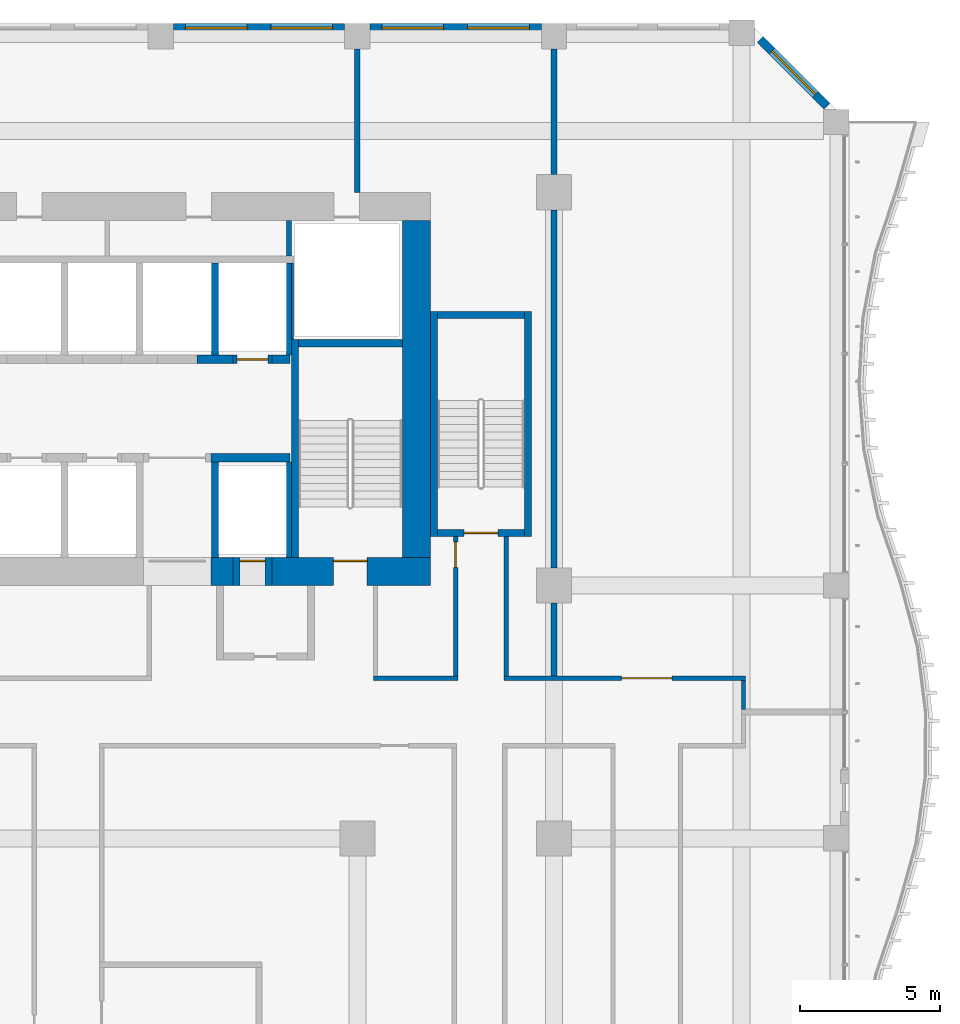
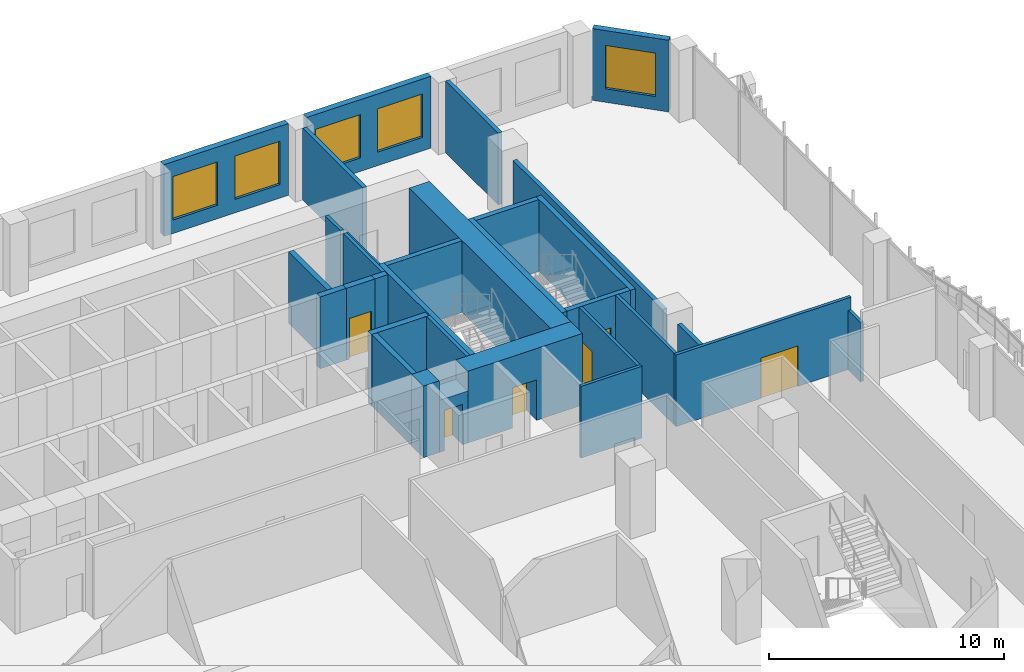
# One storey, part 18 of 29: 32 walls, 6 doors, 5 windows, 11 openings.
"""IFC4 building model written with IfcOpenShell, lengths in metres."""

from ifc_helpers import new_model, si_unit, direction, frame, frame_2d, origin, place, context, subcontext, project, spatial, rectangle, extrude, source, transform, mapped, material, layer, layer_set, type_object, element, fill, save


model = new_model("IFC4")

# Units and contexts
model_context = context("Model", 3, precision=1e-05, world=origin(), true_north=direction((0.0, 1.0)))
body_context = subcontext(model_context, "Body", "Model", "MODEL_VIEW")
ifc_project = project(units=[si_unit("LENGTHUNIT", "METRE"), si_unit("AREAUNIT", "SQUARE_METRE"), si_unit("VOLUMEUNIT", "CUBIC_METRE"), si_unit("PLANEANGLEUNIT", "RADIAN"), si_unit("MASSUNIT", "GRAM", prefix="KILO")], contexts=[model_context])

# Site, building, storey
site_placement = place(None, origin())
site = spatial("IfcSite", under=ifc_project, at=site_placement, CompositionType="ELEMENT")
building_placement = place(site_placement, origin())
building = spatial("IfcBuilding", under=site, at=building_placement, Name="Kilnfold Tower and Market Hall", CompositionType="ELEMENT")
storey_placement = place(building_placement, frame((0.0, 0.0, 79.199951171875)))
storey = spatial("IfcBuildingStorey", under=building, at=storey_placement, Name="L18", CompositionType="ELEMENT", Elevation=79.199951171875)

# Wall
ifc_material_1 = material(Name="Gypsum board on steel studs", Category="steel")
ifc_layer_1 = layer(ifc_material_1, 0.14990234375)
ifc_layer_set_1 = layer_set([ifc_layer_1], Name="Gypsum board on steel studs")
wall_type_1 = type_object("IfcWallType", Name="WALL CORRIDOR 150", PredefinedType="PARTITIONING", material=ifc_layer_set_1)
wall_1_placement = place(storey_placement, frame((16.074951171875, 4.699951171875, 0.0), z_axis=(0.0, 0.0, 1.0), x_axis=(1.0, 0.0, 0.0)))
element("IfcWall", 1, at=wall_1_placement, inside=storey, type_object=wall_type_1, Name="Partition LY13.26", PredefinedType="PARTITIONING", context=body_context, shape_type="SweptSolid", body=[
    extrude(rectangle(XDim=3.0, YDim=0.14990234375, at=frame_2d((1.5, 0.0))), origin(), (0.0, 0.0, 1.0), 3.719970703125),
])

# Wall, opening, door
wall_2_placement = place(storey_placement, frame((19.0, 9.75, 0.0), z_axis=(0.0, 0.0, 1.0), x_axis=(0.0, -1.0, 0.0)))
wall_2 = element("IfcWall", 2, at=wall_2_placement, inside=storey, type_object=wall_type_1, Name="Partition LY13.27", PredefinedType="PARTITIONING", context=body_context, shape_type="SweptSolid", body=[
    extrude(rectangle(XDim=4.97509765625, YDim=0.14990234375, at=frame_2d((2.487548828125, 0.0))), origin(), (0.0, 0.0, 1.0), 3.719970703125),
])
opening_1_placement = place(wall_2_placement, frame((0.199951171875, 0.0, 0.0)))
opening_1 = element("IfcOpeningElement", 3, at=opening_1_placement, cuts=wall_2, Name="Opening D2", PredefinedType="OPENING", context=body_context, shape_type="SweptSolid", body=[
    extrude(rectangle(XDim=0.89990234375, YDim=2.10009765625, at=frame_2d((0.449951171875, 1.050048828125))), frame((0.0, 0.0849609375, 0.0), z_axis=(0.0, -1.0, 0.0), x_axis=(1.0, 0.0, 0.0)), (0.0, 0.0, 1.0), 0.169921875),
])
ifc_material_2 = material(Name="Timber veneer door leaf in steel frame", Category="steel")
door_type_1 = type_object("IfcDoorType", Name="DOOR ROOM 900 X2100", OperationType="NOTDEFINED", PredefinedType="DOOR", material=ifc_material_2)
door_1_placement = place(opening_1_placement, origin())
door_1 = element("IfcDoor", 4, at=door_1_placement, inside=storey, type_object=door_type_1, Name="Door D2", OperationType="SINGLE_SWING_LEFT", OverallHeight=2.10009765625, OverallWidth=0.89990234375, PredefinedType="DOOR", context=body_context, shape_type="SweptSolid", body=[
    extrude(rectangle(XDim=0.89990234375, YDim=2.10009765625, at=frame_2d((0.449951171875, 1.050048828125))), frame((0.0, 0.02490234375, 0.0), z_axis=(0.0, -1.0, 0.0), x_axis=(1.0, 0.0, 0.0)), (0.0, 0.0, 1.0), 0.050048828125),
])
fill(opening_1, door_1)

# Wall
wall_3_placement = place(storey_placement, frame((20.800048828125, 4.77490234375, 0.0), z_axis=(0.0, 0.0, 1.0), x_axis=(0.0, 1.0, 0.0)))
element("IfcWall", 5, at=wall_3_placement, inside=storey, type_object=wall_type_1, Name="Partition LY13.28", PredefinedType="PARTITIONING", context=body_context, shape_type="SweptSolid", body=[
    extrude(rectangle(XDim=4.97509765625, YDim=0.14990234375, at=frame_2d((2.487548828125, 0.0))), origin(), (0.0, 0.0, 1.0), 3.719970703125),
])

# Wall, opening, door
wall_4_placement = place(storey_placement, frame((20.72509765625, 4.699951171875, 0.0), z_axis=(0.0, 0.0, 1.0), x_axis=(1.0, 0.0, 0.0)))
wall_4 = element("IfcWall", 6, at=wall_4_placement, inside=storey, type_object=wall_type_1, Name="Partition LY13.29", PredefinedType="PARTITIONING", context=body_context, shape_type="SweptSolid", body=[
    extrude(rectangle(XDim=8.599853515625, YDim=0.14990234375, at=frame_2d((4.2998046875, 0.0))), origin(), (0.0, 0.0, 1.0), 3.719970703125),
])
opening_2_placement = place(wall_4_placement, frame((4.181884765625, 0.0, 0.0)))
opening_2 = element("IfcOpeningElement", 7, at=opening_2_placement, cuts=wall_4, Name="Opening D5", PredefinedType="OPENING", context=body_context, shape_type="SweptSolid", body=[
    extrude(rectangle(XDim=1.800048828125, YDim=2.10009765625, at=frame_2d((0.89990234375, 1.050048828125))), frame((0.0, 0.0849609375, 0.0), z_axis=(0.0, -1.0, 0.0), x_axis=(1.0, 0.0, 0.0)), (0.0, 0.0, 1.0), 0.169921875),
])
ifc_material_3 = material(Name="Timber veneer door leaf in steel frame", Category="steel")
door_type_2 = type_object("IfcDoorType", Name="DOOR DOUBLE 1800 X2100", OperationType="NOTDEFINED", PredefinedType="DOOR", material=ifc_material_3)
door_2_placement = place(opening_2_placement, origin())
door_2 = element("IfcDoor", 8, at=door_2_placement, inside=storey, type_object=door_type_2, Name="Door D5", OperationType="DOUBLE_DOOR_SINGLE_SWING", OverallHeight=2.10009765625, OverallWidth=1.800048828125, PredefinedType="DOOR", context=body_context, shape_type="SweptSolid", body=[
    extrude(rectangle(XDim=1.800048828125, YDim=2.10009765625, at=frame_2d((0.89990234375, 1.050048828125))), frame((0.0, 0.02490234375, 0.0), z_axis=(0.0, -1.0, 0.0), x_axis=(1.0, 0.0, 0.0)), (0.0, 0.0, 1.0), 0.050048828125),
])
fill(opening_2, door_2)

# Walls
wall_5_placement = place(storey_placement, frame((29.25, 3.590087890625, 0.0), z_axis=(0.0, 0.0, 1.0), x_axis=(0.0, 1.0, 0.0)))
element("IfcWall", 9, at=wall_5_placement, inside=storey, type_object=wall_type_1, Name="Partition LY13.30", PredefinedType="PARTITIONING", context=body_context, shape_type="SweptSolid", body=[
    extrude(rectangle(XDim=1.034912109375, YDim=0.14990234375, at=frame_2d((0.517578125, 0.0))), origin(), (0.0, 0.0, 1.0), 3.070068359375),
])
ifc_material_4 = material(Name="Gypsum board on steel studs", Category="steel")
ifc_layer_2 = layer(ifc_material_4, 0.199951171875)
ifc_layer_set_2 = layer_set([ifc_layer_2], Name="Gypsum board on steel studs")
wall_type_2 = type_object("IfcWallType", Name="WALL PARTY 200", PredefinedType="PARTITIONING", material=ifc_layer_set_2)
wall_6_placement = place(storey_placement, frame((15.5, 22.0, 0.0), z_axis=(0.0, 0.0, 1.0), x_axis=(0.0, 1.0, 0.0)))
element("IfcWall", 10, at=wall_6_placement, inside=storey, type_object=wall_type_2, Name="Partition LY13.42", PredefinedType="PARTITIONING", context=body_context, shape_type="SweptSolid", body=[
    extrude(rectangle(XDim=5.10009765625, YDim=0.199951171875, at=frame_2d((2.550048828125, 0.0))), origin(), (0.0, 0.0, 1.0), 3.719970703125),
])
wall_7_placement = place(storey_placement, frame((22.5, 22.625, 0.0), z_axis=(0.0, 0.0, 1.0), x_axis=(0.0, 1.0, 0.0)))
element("IfcWall", 11, at=wall_7_placement, inside=storey, type_object=wall_type_2, Name="Partition LY13.57", PredefinedType="PARTITIONING", context=body_context, shape_type="SweptSolid", body=[
    extrude(rectangle(XDim=4.47509765625, YDim=0.199951171875, at=frame_2d((2.237548828125, 0.0))), origin(), (0.0, 0.0, 1.0), 3.719970703125),
])
wall_8_placement = place(storey_placement, frame((22.5, 8.625, 0.0), z_axis=(0.0, 0.0, 1.0), x_axis=(0.0, 1.0, 0.0)))
element("IfcWall", 12, at=wall_8_placement, inside=storey, type_object=wall_type_2, Name="Partition LY13.58", PredefinedType="PARTITIONING", context=body_context, shape_type="SweptSolid", body=[
    extrude(rectangle(XDim=12.75, YDim=0.199951171875, at=frame_2d((6.375, 0.0))), origin(), (0.0, 0.0, 1.0), 3.070068359375),
])
wall_9_placement = place(storey_placement, frame((22.5, 4.77587890625, 0.0), z_axis=(0.0, 0.0, 1.0), x_axis=(0.0, 1.0, 0.0)))
element("IfcWall", 13, at=wall_9_placement, inside=storey, type_object=wall_type_2, Name="Partition LY13.59", PredefinedType="PARTITIONING", context=body_context, shape_type="SweptSolid", body=[
    extrude(rectangle(XDim=2.59912109375, YDim=0.199951171875, at=frame_2d((1.299560546875, 0.0))), origin(), (0.0, 0.0, 1.0), 3.070068359375),
])
ifc_material_5 = material(Name="Concrete C80", Category="concrete")
ifc_layer_3 = layer(ifc_material_5, 1.0)
ifc_layer_set_3 = layer_set([ifc_layer_3], Name="Concrete C80")
wall_type_3 = type_object("IfcWallType", Name="CORE WALL 1000 C80", PredefinedType="SHEAR", material=ifc_layer_set_3)
shared_shape_1 = source(origin(), body_context, "Body", "SweptSolid", [
    extrude(rectangle(XDim=0.780029296875, YDim=1.0, at=frame_2d((0.39013671875, 0.0))), origin(), (0.0, 0.0, 1.0), 3.719970703125),
])
wall_10_placement = place(storey_placement, frame((10.2900390625, 8.5, 0.0), z_axis=(0.0, 0.0, 1.0), x_axis=(1.0, 0.0, 0.0)))
element("IfcWall", 14, at=wall_10_placement, inside=storey, type_object=wall_type_3, Name="Core outer wall south", PredefinedType="SHEAR", context=body_context, shape_type="MappedRepresentation", body=[
    mapped(shared_shape_1, transform((0.0, 0.0, 0.0))),
])

# Wall, opening, door
shared_shape_2 = source(origin(), body_context, "Body", "SweptSolid", [
    extrude(rectangle(XDim=5.630126953125, YDim=1.0, at=frame_2d((2.81494140625, 0.0))), origin(), (0.0, 0.0, 1.0), 3.719970703125),
])
wall_11_placement = place(storey_placement, frame((12.469970703125, 8.5, 0.0), z_axis=(0.0, 0.0, 1.0), x_axis=(1.0, 0.0, 0.0)))
wall_11 = element("IfcWall", 15, at=wall_11_placement, inside=storey, type_object=wall_type_3, Name="Core outer wall south", PredefinedType="SHEAR", context=body_context, shape_type="MappedRepresentation", body=[
    mapped(shared_shape_2, transform((0.0, 0.0, 0.0))),
])
opening_3_placement = place(wall_11_placement, frame((2.179931640625, 0.0, 0.0)))
opening_3 = element("IfcOpeningElement", 16, at=opening_3_placement, cuts=wall_11, Name="Opening SD1", PredefinedType="OPENING", context=body_context, shape_type="SweptSolid", body=[
    extrude(rectangle(XDim=1.199951171875, YDim=2.10009765625, at=frame_2d((0.60009765625, 1.050048828125))), frame((0.0, 0.510009765625, 0.0), z_axis=(0.0, -1.0, 0.0), x_axis=(1.0, 0.0, 0.0)), (0.0, 0.0, 1.0), 1.02001953125),
])
ifc_material_6 = material(Name="Steel door set with fire-resisting leaf", Category="steel")
door_type_3 = type_object("IfcDoorType", Name="STAIR FLOOR DOOR 1200X2100", OperationType="NOTDEFINED", PredefinedType="DOOR", material=ifc_material_6)
door_3_placement = place(opening_3_placement, origin())
door_3 = element("IfcDoor", 17, at=door_3_placement, inside=storey, type_object=door_type_3, Name="Exit stair ST2 door", OperationType="DOUBLE_DOOR_SINGLE_SWING", OverallHeight=2.10009765625, OverallWidth=1.199951171875, PredefinedType="DOOR", context=body_context, shape_type="SweptSolid", body=[
    extrude(rectangle(XDim=1.199951171875, YDim=2.10009765625, at=frame_2d((0.60009765625, 1.050048828125))), frame((0.0, 0.40478515625, 0.0), z_axis=(0.0, -1.0, 0.0), x_axis=(1.0, 0.0, 0.0)), (0.0, 0.0, 1.0), 0.050048828125),
])
fill(opening_3, door_3)

# Walls
shared_shape_3 = source(origin(), body_context, "Body", "SweptSolid", [
    extrude(rectangle(XDim=12.0, YDim=1.0, at=frame_2d((6.0, 0.0))), origin(), (0.0, 0.0, 1.0), 3.719970703125),
])
wall_12_placement = place(storey_placement, frame((17.60009765625, 9.0, 0.0), z_axis=(0.0, 0.0, 1.0), x_axis=(0.0, 1.0, 0.0)))
element("IfcWall", 18, at=wall_12_placement, inside=storey, type_object=wall_type_3, Name="Core outer wall east", PredefinedType="SHEAR", context=body_context, shape_type="MappedRepresentation", body=[
    mapped(shared_shape_3, transform((0.0, 0.0, 0.0))),
])
ifc_material_7 = material(Name="Concrete C80", Category="concrete")
ifc_layer_4 = layer(ifc_material_7, 0.25)
ifc_layer_set_4 = layer_set([ifc_layer_4], Name="Concrete C80")
wall_type_4 = type_object("IfcWallType", Name="CORE WALL 250 C80", PredefinedType="SHEAR", material=ifc_layer_set_4)
shared_shape_4 = source(origin(), body_context, "Body", "SweptSolid", [
    extrude(rectangle(XDim=7.75, YDim=0.25, at=frame_2d((3.875, 0.0))), origin(), (0.0, 0.0, 1.0), 3.719970703125),
])
wall_13_placement = place(storey_placement, frame((13.27490234375, 9.0, 0.0), z_axis=(0.0, 0.0, 1.0), x_axis=(0.0, 1.0, 0.0)))
element("IfcWall", 19, at=wall_13_placement, inside=storey, type_object=wall_type_4, Name="Stair enclosure ST2", PredefinedType="SHEAR", context=body_context, shape_type="MappedRepresentation", body=[
    mapped(shared_shape_4, transform((0.0, 0.0, 0.0))),
])
shared_shape_5 = source(origin(), body_context, "Body", "SweptSolid", [
    extrude(rectangle(XDim=3.7001953125, YDim=0.25, at=frame_2d((1.85009765625, 0.0))), origin(), (0.0, 0.0, 1.0), 3.719970703125),
])
wall_14_placement = place(storey_placement, frame((13.39990234375, 16.625, 0.0), z_axis=(0.0, 0.0, 1.0), x_axis=(1.0, 0.0, 0.0)))
element("IfcWall", 20, at=wall_14_placement, inside=storey, type_object=wall_type_4, Name="Stair enclosure ST2", PredefinedType="SHEAR", context=body_context, shape_type="MappedRepresentation", body=[
    mapped(shared_shape_5, transform((0.0, 0.0, 0.0))),
])
shared_shape_6 = source(origin(), body_context, "Body", "SweptSolid", [
    extrude(rectangle(XDim=8.0, YDim=0.25, at=frame_2d((4.0, 0.0))), origin(), (0.0, 0.0, 1.0), 3.719970703125),
])
for number, where, z_axis, x_axis, name in (
    (21, (18.22509765625, 9.75, 0.0), (0.0, 0.0, 1.0), (0.0, 1.0, 0.0), "Stair enclosure ST5"),
    (22, (21.574951171875, 9.75, 0.0), (0.0, 0.0, 1.0), (0.0, 1.0, 0.0), "Stair enclosure ST5"),
):
    element("IfcWall", number, at=place(storey_placement, frame(where, z_axis=z_axis, x_axis=x_axis)), inside=storey, type_object=wall_type_4, Name=name, PredefinedType="SHEAR", context=body_context, shape_type="MappedRepresentation", body=[
        mapped(shared_shape_6, transform((0.0, 0.0, 0.0))),
    ])

# Wall, opening, door
shared_shape_7 = source(origin(), body_context, "Body", "SweptSolid", [
    extrude(rectangle(XDim=3.099853515625, YDim=0.25, at=frame_2d((1.5498046875, 0.0))), origin(), (0.0, 0.0, 1.0), 3.719970703125),
])
wall_15_placement = place(storey_placement, frame((18.35009765625, 9.875, 0.0), z_axis=(0.0, 0.0, 1.0), x_axis=(1.0, 0.0, 0.0)))
wall_15 = element("IfcWall", 23, at=wall_15_placement, inside=storey, type_object=wall_type_4, Name="Stair enclosure ST5", PredefinedType="SHEAR", context=body_context, shape_type="MappedRepresentation", body=[
    mapped(shared_shape_7, transform((0.0, 0.0, 0.0))),
])
opening_4_placement = place(wall_15_placement, frame((0.949951171875, 0.0, 0.0)))
opening_4 = element("IfcOpeningElement", 24, at=opening_4_placement, cuts=wall_15, Name="Opening SD1", PredefinedType="OPENING", context=body_context, shape_type="SweptSolid", body=[
    extrude(rectangle(XDim=1.199951171875, YDim=2.10009765625, at=frame_2d((0.60009765625, 1.050048828125))), frame((0.0, 0.135009765625, 0.0), z_axis=(0.0, -1.0, 0.0), x_axis=(1.0, 0.0, 0.0)), (0.0, 0.0, 1.0), 0.27001953125),
])
door_4_placement = place(opening_4_placement, origin())
door_4 = element("IfcDoor", 25, at=door_4_placement, inside=storey, type_object=door_type_3, Name="Exit stair ST5 door", OperationType="DOUBLE_DOOR_SINGLE_SWING", OverallHeight=2.10009765625, OverallWidth=1.199951171875, PredefinedType="DOOR", context=body_context, shape_type="SweptSolid", body=[
    extrude(rectangle(XDim=1.199951171875, YDim=2.10009765625, at=frame_2d((0.60009765625, 1.050048828125))), frame((0.0, 0.02490234375, 0.0), z_axis=(0.0, -1.0, 0.0), x_axis=(1.0, 0.0, 0.0)), (0.0, 0.0, 1.0), 0.050048828125),
])
fill(opening_4, door_4)

# Walls
wall_16_placement = place(storey_placement, frame((18.35009765625, 17.625, 0.0), z_axis=(0.0, 0.0, 1.0), x_axis=(1.0, 0.0, 0.0)))
element("IfcWall", 26, at=wall_16_placement, inside=storey, type_object=wall_type_4, Name="Stair enclosure ST5", PredefinedType="SHEAR", context=body_context, shape_type="MappedRepresentation", body=[
    mapped(shared_shape_7, transform((0.0, 0.0, 0.0))),
])
ifc_material_8 = material(Name="Concrete C80", Category="concrete")
ifc_layer_5 = layer(ifc_material_8, 0.300048828125)
ifc_layer_set_5 = layer_set([ifc_layer_5], Name="Concrete C80")
wall_type_5 = type_object("IfcWallType", Name="CORE WALL 300 C80", PredefinedType="SHEAR", material=ifc_layer_set_5)
shared_shape_8 = source(origin(), body_context, "Body", "SweptSolid", [
    extrude(rectangle(XDim=1.280029296875, YDim=0.300048828125, at=frame_2d((0.64013671875, 0.0))), origin(), (0.0, 0.0, 1.0), 3.719970703125),
])
wall_17_placement = place(storey_placement, frame((9.7900390625, 16.050048828125, 0.0), z_axis=(0.0, 0.0, 1.0), x_axis=(1.0, 0.0, 0.0)))
element("IfcWall", 27, at=wall_17_placement, inside=storey, type_object=wall_type_5, Name="Core spine wall", PredefinedType="SHEAR", context=body_context, shape_type="MappedRepresentation", body=[
    mapped(shared_shape_8, transform((0.0, 0.0, 0.0))),
])
shared_shape_9 = source(origin(), body_context, "Body", "SweptSolid", [
    extrude(rectangle(XDim=2.820068359375, YDim=0.300048828125, at=frame_2d((1.41015625, 0.0))), origin(), (0.0, 0.0, 1.0), 3.719970703125),
])
wall_18_placement = place(storey_placement, frame((10.2900390625, 12.550048828125, 0.0), z_axis=(0.0, 0.0, 1.0), x_axis=(1.0, 0.0, 0.0)))
element("IfcWall", 28, at=wall_18_placement, inside=storey, type_object=wall_type_5, Name="Core spine wall", PredefinedType="SHEAR", context=body_context, shape_type="MappedRepresentation", body=[
    mapped(shared_shape_9, transform((0.0, 0.0, 0.0))),
])
shared_shape_10 = source(origin(), body_context, "Body", "SweptSolid", [
    extrude(rectangle(XDim=0.64013671875, YDim=0.300048828125, at=frame_2d((0.320068359375, 0.0))), origin(), (0.0, 0.0, 1.0), 3.719970703125),
])
wall_19_placement = place(storey_placement, frame((12.469970703125, 16.050048828125, 0.0), z_axis=(0.0, 0.0, 1.0), x_axis=(1.0, 0.0, 0.0)))
element("IfcWall", 29, at=wall_19_placement, inside=storey, type_object=wall_type_5, Name="Core spine wall", PredefinedType="SHEAR", context=body_context, shape_type="MappedRepresentation", body=[
    mapped(shared_shape_10, transform((0.0, 0.0, 0.0))),
])

# Wall, opening, window
ifc_material_9 = material(Name="Precast concrete C50/60", Category="concrete")
ifc_layer_6 = layer(ifc_material_9, 0.300048828125)
ifc_layer_set_6 = layer_set([ifc_layer_6], Name="Precast concrete C50/60")
wall_type_6 = type_object("IfcWallType", Name="PRECAST WALL 300", PredefinedType="SOLIDWALL", material=ifc_layer_set_6)
shared_shape_11 = source(origin(), body_context, "Body", "SweptSolid", [
    extrude(rectangle(XDim=3.35888671875, YDim=0.300048828125, at=frame_2d((1.679443359375, 0.0))), origin(), (0.0, 0.0, 1.0), 3.719970703125),
])
wall_20_placement = place(storey_placement, frame((32.218994140625, 25.06884765625, 0.0), z_axis=(0.0, 0.0, 1.0), x_axis=(-0.707070438228, 0.707143122278, 0.0)))
wall_20 = element("IfcWall", 30, at=wall_20_placement, inside=storey, type_object=wall_type_6, Name="External wall L18 NE", PredefinedType="SOLIDWALL", context=body_context, shape_type="MappedRepresentation", body=[
    mapped(shared_shape_11, transform((0.0, 0.0, 0.0))),
])
opening_5_placement = place(wall_20_placement, frame((0.579345703125, 0.0, 0.699951171875)))
opening_5 = element("IfcOpeningElement", 31, at=opening_5_placement, cuts=wall_20, Name="Opening W1", PredefinedType="OPENING", context=body_context, shape_type="SweptSolid", body=[
    extrude(rectangle(XDim=2.199951171875, YDim=2.25, at=frame_2d((1.10009765625, 1.125))), frame((0.0, 0.16015625, 0.0), z_axis=(0.0, -1.0, 0.0), x_axis=(1.0, 0.0, 0.0)), (0.0, 0.0, 1.0), 0.320068359375),
])
ifc_material_10 = material(Name="Aluminium frame and double glazing", Category="aluminium")
window_type = type_object("IfcWindowType", Name="WINDOW W1 2200X2250", PartitioningType="SINGLE_PANEL", PredefinedType="WINDOW", material=ifc_material_10)
window_1_placement = place(opening_5_placement, origin())
window_1 = element("IfcWindow", 32, at=window_1_placement, inside=storey, type_object=window_type, Name="Window W1 L18 NE-1", OverallHeight=2.25, OverallWidth=2.199951171875, PartitioningType="SINGLE_PANEL", PredefinedType="WINDOW", context=body_context, shape_type="SweptSolid", body=[
    extrude(rectangle(XDim=2.199951171875, YDim=2.25, at=frame_2d((1.10009765625, 1.125))), frame((0.0, 0.030029296875, 0.0), z_axis=(0.0, -1.0, 0.0), x_axis=(1.0, 0.0, 0.0)), (0.0, 0.0, 1.0), 0.06005859375),
])
fill(opening_5, window_1)

# Wall, openings, windows
shared_shape_12 = source(origin(), body_context, "Body", "SweptSolid", [
    extrude(rectangle(XDim=6.10009765625, YDim=0.300048828125, at=frame_2d((3.050048828125, 0.0))), origin(), (0.0, 0.0, 1.0), 3.719970703125),
])
wall_21_placement = place(storey_placement, frame((22.050048828125, 27.85009765625, 0.0), z_axis=(0.0, 0.0, 1.0), x_axis=(-1.0, 0.0, 0.0)))
wall_21 = element("IfcWall", 33, at=wall_21_placement, inside=storey, type_object=wall_type_6, Name="External wall L18 N", PredefinedType="SOLIDWALL", context=body_context, shape_type="MappedRepresentation", body=[
    mapped(shared_shape_12, transform((0.0, 0.0, 0.0))),
])
opening_6_placement = place(wall_21_placement, frame((0.425048828125, 0.0, 0.699951171875)))
opening_6 = element("IfcOpeningElement", 34, at=opening_6_placement, cuts=wall_21, Name="Opening W1", PredefinedType="OPENING", context=body_context, shape_type="SweptSolid", body=[
    extrude(rectangle(XDim=2.199951171875, YDim=2.25, at=frame_2d((1.10009765625, 1.125))), frame((0.0, 0.16015625, 0.0), z_axis=(0.0, -1.0, 0.0), x_axis=(1.0, 0.0, 0.0)), (0.0, 0.0, 1.0), 0.320068359375),
])
opening_7_placement = place(wall_21_placement, frame((3.47509765625, 0.0, 0.699951171875)))
opening_7 = element("IfcOpeningElement", 35, at=opening_7_placement, cuts=wall_21, Name="Opening W1", PredefinedType="OPENING", context=body_context, shape_type="SweptSolid", body=[
    extrude(rectangle(XDim=2.199951171875, YDim=2.25, at=frame_2d((1.10009765625, 1.125))), frame((0.0, 0.16015625, 0.0), z_axis=(0.0, -1.0, 0.0), x_axis=(1.0, 0.0, 0.0)), (0.0, 0.0, 1.0), 0.320068359375),
])
window_2_placement = place(opening_6_placement, origin())
window_2 = element("IfcWindow", 36, at=window_2_placement, inside=storey, type_object=window_type, Name="Window W1 L18 N-1", OverallHeight=2.25, OverallWidth=2.199951171875, PartitioningType="SINGLE_PANEL", PredefinedType="WINDOW", context=body_context, shape_type="SweptSolid", body=[
    extrude(rectangle(XDim=2.199951171875, YDim=2.25, at=frame_2d((1.10009765625, 1.125))), frame((0.0, 0.030029296875, 0.0), z_axis=(0.0, -1.0, 0.0), x_axis=(1.0, 0.0, 0.0)), (0.0, 0.0, 1.0), 0.06005859375),
])
fill(opening_6, window_2)
window_3_placement = place(opening_7_placement, origin())
window_3 = element("IfcWindow", 37, at=window_3_placement, inside=storey, type_object=window_type, Name="Window W1 L18 N-2", OverallHeight=2.25, OverallWidth=2.199951171875, PartitioningType="SINGLE_PANEL", PredefinedType="WINDOW", context=body_context, shape_type="SweptSolid", body=[
    extrude(rectangle(XDim=2.199951171875, YDim=2.25, at=frame_2d((1.10009765625, 1.125))), frame((0.0, 0.030029296875, 0.0), z_axis=(0.0, -1.0, 0.0), x_axis=(1.0, 0.0, 0.0)), (0.0, 0.0, 1.0), 0.06005859375),
])
fill(opening_7, window_3)

wall_22_placement = place(storey_placement, frame((15.050048828125, 27.85009765625, 0.0), z_axis=(0.0, 0.0, 1.0), x_axis=(-1.0, 0.0, 0.0)))
wall_22 = element("IfcWall", 38, at=wall_22_placement, inside=storey, type_object=wall_type_6, Name="External wall L18 N", PredefinedType="SOLIDWALL", context=body_context, shape_type="MappedRepresentation", body=[
    mapped(shared_shape_12, transform((0.0, 0.0, 0.0))),
])
opening_8_placement = place(wall_22_placement, frame((0.425048828125, 0.0, 0.699951171875)))
opening_8 = element("IfcOpeningElement", 39, at=opening_8_placement, cuts=wall_22, Name="Opening W1", PredefinedType="OPENING", context=body_context, shape_type="SweptSolid", body=[
    extrude(rectangle(XDim=2.199951171875, YDim=2.25, at=frame_2d((1.10009765625, 1.125))), frame((0.0, 0.16015625, 0.0), z_axis=(0.0, -1.0, 0.0), x_axis=(1.0, 0.0, 0.0)), (0.0, 0.0, 1.0), 0.320068359375),
])
opening_9_placement = place(wall_22_placement, frame((3.47509765625, 0.0, 0.699951171875)))
opening_9 = element("IfcOpeningElement", 40, at=opening_9_placement, cuts=wall_22, Name="Opening W1", PredefinedType="OPENING", context=body_context, shape_type="SweptSolid", body=[
    extrude(rectangle(XDim=2.199951171875, YDim=2.25, at=frame_2d((1.10009765625, 1.125))), frame((0.0, 0.16015625, 0.0), z_axis=(0.0, -1.0, 0.0), x_axis=(1.0, 0.0, 0.0)), (0.0, 0.0, 1.0), 0.320068359375),
])
window_4_placement = place(opening_8_placement, origin())
window_4 = element("IfcWindow", 41, at=window_4_placement, inside=storey, type_object=window_type, Name="Window W1 L18 N-1", OverallHeight=2.25, OverallWidth=2.199951171875, PartitioningType="SINGLE_PANEL", PredefinedType="WINDOW", context=body_context, shape_type="SweptSolid", body=[
    extrude(rectangle(XDim=2.199951171875, YDim=2.25, at=frame_2d((1.10009765625, 1.125))), frame((0.0, 0.030029296875, 0.0), z_axis=(0.0, -1.0, 0.0), x_axis=(1.0, 0.0, 0.0)), (0.0, 0.0, 1.0), 0.06005859375),
])
fill(opening_8, window_4)
window_5_placement = place(opening_9_placement, origin())
window_5 = element("IfcWindow", 42, at=window_5_placement, inside=storey, type_object=window_type, Name="Window W1 L18 N-2", OverallHeight=2.25, OverallWidth=2.199951171875, PartitioningType="SINGLE_PANEL", PredefinedType="WINDOW", context=body_context, shape_type="SweptSolid", body=[
    extrude(rectangle(XDim=2.199951171875, YDim=2.25, at=frame_2d((1.10009765625, 1.125))), frame((0.0, 0.030029296875, 0.0), z_axis=(0.0, -1.0, 0.0), x_axis=(1.0, 0.0, 0.0)), (0.0, 0.0, 1.0), 0.06005859375),
])
fill(opening_9, window_5)

# Wall, opening, door
ifc_material_11 = material(Name="Gypsum shaft wall system")
ifc_layer_7 = layer(ifc_material_11, 1.0)
ifc_layer_set_7 = layer_set([ifc_layer_7], Name="Gypsum shaft wall system")
wall_type_7 = type_object("IfcWallType", Name="LOBBY WALL 1000", PredefinedType="PARTITIONING", material=ifc_layer_set_7)
shared_shape_13 = source(origin(), body_context, "Body", "SweptSolid", [
    extrude(rectangle(XDim=1.39990234375, YDim=1.0, at=frame_2d((0.699951171875, 0.0))), origin(), (0.0, 0.0, 1.0), 2.699951171875),
])
wall_23_placement = place(storey_placement, frame((11.070068359375, 8.5, 0.0), z_axis=(0.0, 0.0, 1.0), x_axis=(1.0, 0.0, 0.0)))
wall_23 = element("IfcWall", 43, at=wall_23_placement, inside=storey, type_object=wall_type_7, Name="Core wall infill", PredefinedType="PARTITIONING", context=body_context, shape_type="MappedRepresentation", body=[
    mapped(shared_shape_13, transform((0.0, 0.0, 0.0))),
])
opening_10_placement = place(wall_23_placement, frame((0.25, 0.0, 0.0)))
opening_10 = element("IfcOpeningElement", 44, at=opening_10_placement, cuts=wall_23, Name="Opening LD1", PredefinedType="OPENING", context=body_context, shape_type="SweptSolid", body=[
    extrude(rectangle(XDim=0.89990234375, YDim=2.10009765625, at=frame_2d((0.449951171875, 1.050048828125))), frame((0.0, 0.510009765625, 0.0), z_axis=(0.0, -1.0, 0.0), x_axis=(1.0, 0.0, 0.0)), (0.0, 0.0, 1.0), 1.02001953125),
])
ifc_material_12 = material(Name="Steel door set with fire-resisting leaf", Category="steel")
door_type_4 = type_object("IfcDoorType", Name="FIREFIGHTING LANDING DOOR 900X2100", OperationType="NOTDEFINED", PredefinedType="DOOR", material=ifc_material_12)
door_5_placement = place(opening_10_placement, origin())
door_5 = element("IfcDoor", 45, at=door_5_placement, inside=storey, type_object=door_type_4, Name="Landing door FF3", OperationType="SLIDING_TO_LEFT", OverallHeight=2.10009765625, OverallWidth=0.89990234375, PredefinedType="DOOR", context=body_context, shape_type="SweptSolid", body=[
    extrude(rectangle(XDim=0.89990234375, YDim=2.10009765625, at=frame_2d((0.449951171875, 1.050048828125))), frame((0.0, 0.40478515625, 0.0), z_axis=(0.0, -1.0, 0.0), x_axis=(1.0, 0.0, 0.0)), (0.0, 0.0, 1.0), 0.050048828125),
])
fill(opening_10, door_5)

ifc_material_13 = material(Name="Gypsum shaft wall system")
ifc_layer_8 = layer(ifc_material_13, 0.300048828125)
ifc_layer_set_8 = layer_set([ifc_layer_8], Name="Gypsum shaft wall system")
wall_type_8 = type_object("IfcWallType", Name="SHAFT WALL 300", PredefinedType="PARTITIONING", material=ifc_layer_set_8)
shared_shape_14 = source(origin(), body_context, "Body", "SweptSolid", [
    extrude(rectangle(XDim=1.39990234375, YDim=0.300048828125, at=frame_2d((0.699951171875, 0.0))), origin(), (0.0, 0.0, 1.0), 3.719970703125),
])
wall_24_placement = place(storey_placement, frame((11.070068359375, 16.050048828125, 0.0), z_axis=(0.0, 0.0, 1.0), x_axis=(1.0, 0.0, 0.0)))
wall_24 = element("IfcWall", 46, at=wall_24_placement, inside=storey, type_object=wall_type_8, Name="Lift shaft front wall", PredefinedType="PARTITIONING", context=body_context, shape_type="MappedRepresentation", body=[
    mapped(shared_shape_14, transform((0.0, 0.0, 0.0))),
])
opening_11_placement = place(wall_24_placement, frame((0.14990234375, 0.0, 0.0)))
opening_11 = element("IfcOpeningElement", 47, at=opening_11_placement, cuts=wall_24, Name="Opening LD2", PredefinedType="OPENING", context=body_context, shape_type="SweptSolid", body=[
    extrude(rectangle(XDim=1.10009765625, YDim=2.10009765625, at=frame_2d((0.550048828125, 1.050048828125))), frame((0.0, 0.16015625, 0.0), z_axis=(0.0, -1.0, 0.0), x_axis=(1.0, 0.0, 0.0)), (0.0, 0.0, 1.0), 0.320068359375),
])
ifc_material_14 = material(Name="Steel door set with fire-resisting leaf", Category="steel")
door_type_5 = type_object("IfcDoorType", Name="LANDING DOOR 1100X2100", OperationType="NOTDEFINED", PredefinedType="DOOR", material=ifc_material_14)
door_6_placement = place(opening_11_placement, origin())
door_6 = element("IfcDoor", 48, at=door_6_placement, inside=storey, type_object=door_type_5, Name="Landing door LR6", OperationType="DOUBLE_DOOR_SLIDING", OverallHeight=2.10009765625, OverallWidth=1.10009765625, PredefinedType="DOOR", context=body_context, shape_type="SweptSolid", body=[
    extrude(rectangle(XDim=1.10009765625, YDim=2.10009765625, at=frame_2d((0.550048828125, 1.050048828125))), frame((0.0, 0.02490234375, 0.0), z_axis=(0.0, -1.0, 0.0), x_axis=(1.0, 0.0, 0.0)), (0.0, 0.0, 1.0), 0.050048828125),
])
fill(opening_11, door_6)

# Walls
ifc_material_15 = material(Name="Gypsum shaft wall system")
ifc_layer_9 = layer(ifc_material_15, 0.1650390625)
ifc_layer_set_9 = layer_set([ifc_layer_9], Name="Gypsum shaft wall system")
wall_type_9 = type_object("IfcWallType", Name="SHAFT WALL 165", PredefinedType="PARTITIONING", material=ifc_layer_set_9)
shared_shape_15 = source(origin(), body_context, "Body", "SweptSolid", [
    extrude(rectangle(XDim=3.275146484375, YDim=0.1650390625, at=frame_2d((1.6376953125, 0.0))), origin(), (0.0, 0.0, 1.0), 3.719970703125),
])
wall_25_placement = place(storey_placement, frame((13.0673828125, 16.199951171875, 0.0), z_axis=(0.0, 0.0, 1.0), x_axis=(0.0, 1.0, 0.0)))
element("IfcWall", 49, at=wall_25_placement, inside=storey, type_object=wall_type_9, Name="Lift shaft wall", PredefinedType="PARTITIONING", context=body_context, shape_type="MappedRepresentation", body=[
    mapped(shared_shape_15, transform((0.0, 0.0, 0.0))),
])
shared_shape_16 = source(origin(), body_context, "Body", "SweptSolid", [
    extrude(rectangle(XDim=1.27490234375, YDim=0.1650390625, at=frame_2d((0.637451171875, 0.0))), origin(), (0.0, 0.0, 1.0), 3.719970703125),
])
wall_26_placement = place(storey_placement, frame((13.0673828125, 19.72509765625, 0.0), z_axis=(0.0, 0.0, 1.0), x_axis=(0.0, 1.0, 0.0)))
element("IfcWall", 50, at=wall_26_placement, inside=storey, type_object=wall_type_9, Name="Lift shaft wall", PredefinedType="PARTITIONING", context=body_context, shape_type="MappedRepresentation", body=[
    mapped(shared_shape_16, transform((0.0, 0.0, 0.0))),
])
ifc_material_16 = material(Name="Gypsum shaft wall system")
ifc_layer_10 = layer(ifc_material_16, 0.25)
ifc_layer_set_10 = layer_set([ifc_layer_10], Name="Gypsum shaft wall system")
wall_type_10 = type_object("IfcWallType", Name="SHAFT WALL 250", PredefinedType="PARTITIONING", material=ifc_layer_set_10)
shared_shape_17 = source(origin(), body_context, "Body", "SweptSolid", [
    extrude(rectangle(XDim=3.275146484375, YDim=0.25, at=frame_2d((1.6376953125, 0.0))), origin(), (0.0, 0.0, 1.0), 3.719970703125),
])
wall_27_placement = place(storey_placement, frame((10.429931640625, 16.199951171875, 0.0), z_axis=(0.0, 0.0, 1.0), x_axis=(0.0, 1.0, 0.0)))
element("IfcWall", 51, at=wall_27_placement, inside=storey, type_object=wall_type_10, Name="Lift shaft wall", PredefinedType="PARTITIONING", context=body_context, shape_type="MappedRepresentation", body=[
    mapped(shared_shape_17, transform((0.0, 0.0, 0.0))),
])
ifc_material_17 = material(Name="Gypsum shaft wall system")
ifc_layer_11 = layer(ifc_material_17, 0.0849609375)
ifc_layer_set_11 = layer_set([ifc_layer_11], Name="Gypsum shaft wall system")
wall_type_11 = type_object("IfcWallType", Name="SHAFT WALL 85", PredefinedType="PARTITIONING", material=ifc_layer_set_11)
shared_shape_18 = source(origin(), body_context, "Body", "SweptSolid", [
    extrude(rectangle(XDim=2.72509765625, YDim=0.0849609375, at=frame_2d((1.362548828125, 0.0))), origin(), (0.0, 0.0, 1.0), 3.719970703125),
])
wall_28_placement = place(storey_placement, frame((13.1923828125, 16.75, 0.0), z_axis=(0.0, 0.0, 1.0), x_axis=(0.0, 1.0, 0.0)))
element("IfcWall", 52, at=wall_28_placement, inside=storey, type_object=wall_type_11, Name="Lift shaft wall", PredefinedType="PARTITIONING", context=body_context, shape_type="MappedRepresentation", body=[
    mapped(shared_shape_18, transform((0.0, 0.0, 0.0))),
])
shared_shape_19 = source(origin(), body_context, "Body", "SweptSolid", [
    extrude(rectangle(XDim=3.39990234375, YDim=0.25, at=frame_2d((1.699951171875, 0.0))), origin(), (0.0, 0.0, 1.0), 3.719970703125),
])
wall_29_placement = place(storey_placement, frame((10.429931640625, 9.0, 0.0), z_axis=(0.0, 0.0, 1.0), x_axis=(0.0, 1.0, 0.0)))
element("IfcWall", 53, at=wall_29_placement, inside=storey, type_object=wall_type_10, Name="Lift shaft wall", PredefinedType="PARTITIONING", context=body_context, shape_type="MappedRepresentation", body=[
    mapped(shared_shape_19, transform((0.0, 0.0, 0.0))),
])
shared_shape_20 = source(origin(), body_context, "Body", "SweptSolid", [
    extrude(rectangle(XDim=3.39990234375, YDim=0.1650390625, at=frame_2d((1.699951171875, 0.0))), origin(), (0.0, 0.0, 1.0), 3.719970703125),
])
wall_30_placement = place(storey_placement, frame((13.0673828125, 9.0, 0.0), z_axis=(0.0, 0.0, 1.0), x_axis=(0.0, 1.0, 0.0)))
element("IfcWall", 54, at=wall_30_placement, inside=storey, type_object=wall_type_9, Name="Lift shaft wall", PredefinedType="PARTITIONING", context=body_context, shape_type="MappedRepresentation", body=[
    mapped(shared_shape_20, transform((0.0, 0.0, 0.0))),
])

save(model, "model.ifc")
